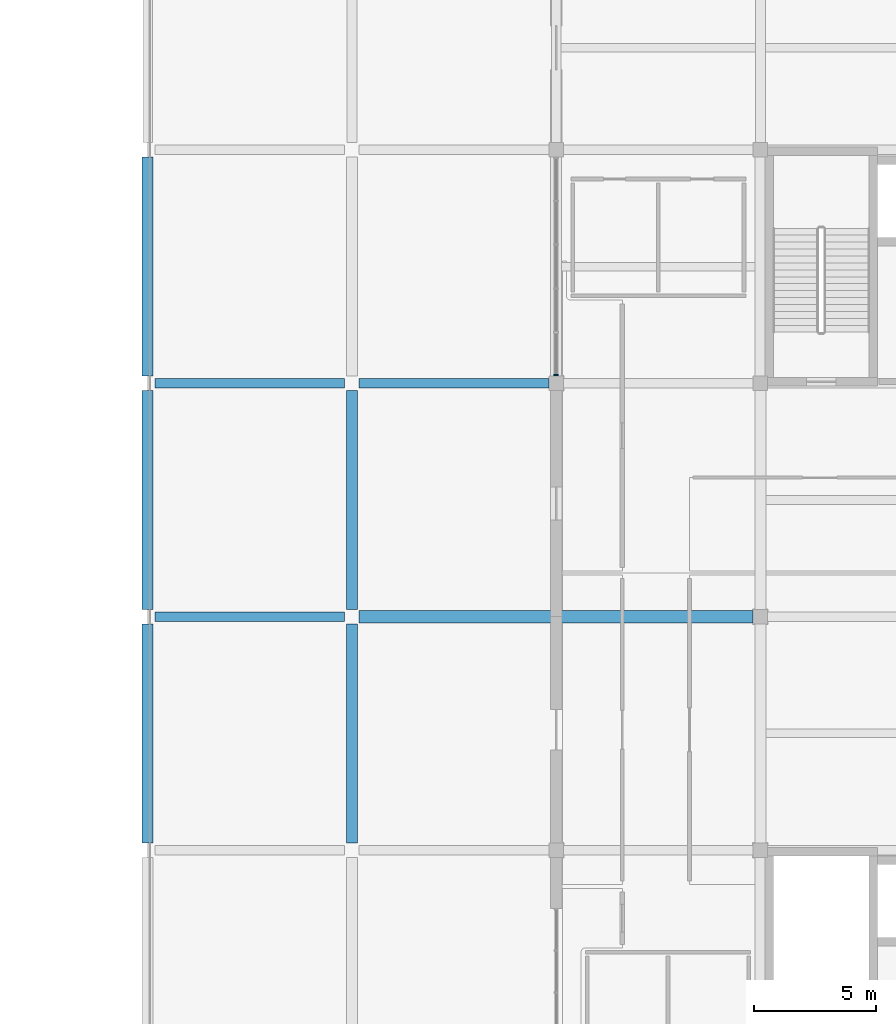
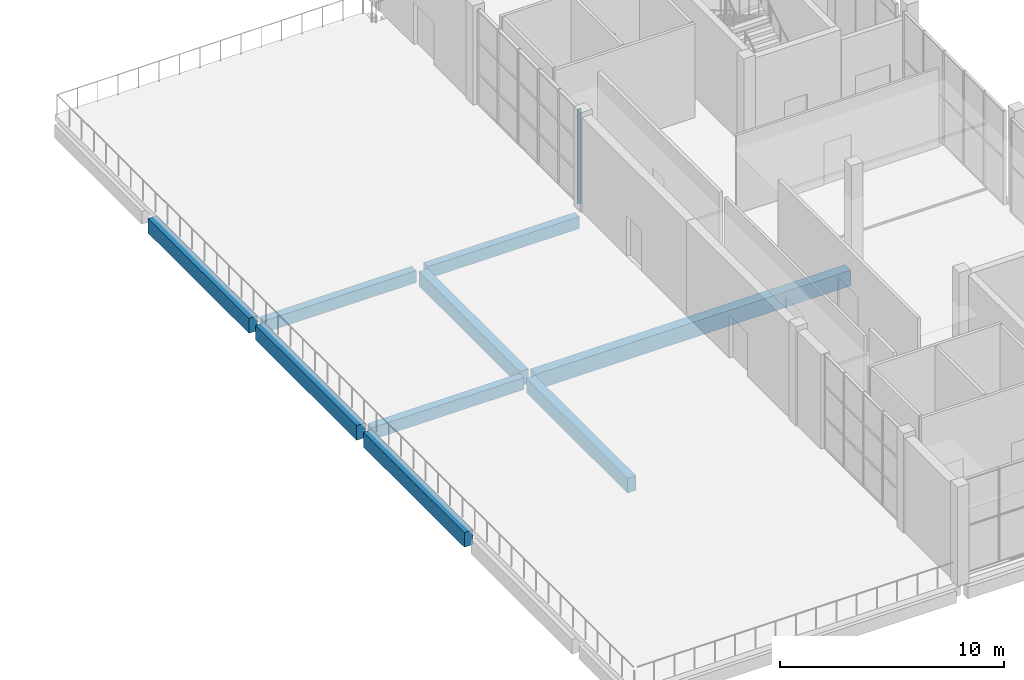
# One storey, part 4 of 15: 9 beams, 1 member, 1 element without a shape of its own.
"""IFC4 building model written with IfcOpenShell, lengths in metres."""

from ifc_helpers import new_model, si_unit, direction, frame, origin, origin_2d, place, context, subcontext, project, spatial, rectangle, extrude, material, material_profile, profile_set, type_object, element, aggregate, save


model = new_model("IFC4")

# Units and contexts
model_context = context("Model", 3, precision=1e-05, world=origin(), true_north=direction((0.0, 1.0)))
body_context = subcontext(model_context, "Body", "Model", "MODEL_VIEW")
ifc_project = project(units=[si_unit("LENGTHUNIT", "METRE"), si_unit("AREAUNIT", "SQUARE_METRE"), si_unit("VOLUMEUNIT", "CUBIC_METRE"), si_unit("PLANEANGLEUNIT", "RADIAN"), si_unit("MASSUNIT", "GRAM", prefix="KILO")], contexts=[model_context])

# Site, building, storey
site_placement = place(None, origin())
site = spatial("IfcSite", under=ifc_project, at=site_placement, CompositionType="ELEMENT")
building_placement = place(site_placement, origin())
building = spatial("IfcBuilding", under=site, at=building_placement, Name="Shalvenor Court Art Gallery", CompositionType="ELEMENT")
storey_placement = place(building_placement, frame((0.0, 0.0, 27.0)))
storey = spatial("IfcBuildingStorey", under=building, at=storey_placement, Name="L05", CompositionType="ELEMENT", Elevation=27.0)

# Beams
ifc_material_1 = material(Name="Concrete C40/50", Category="concrete")
ifc_material_profile_1 = material_profile(ifc_material_1, rectangle(XDim=0.5, YDim=0.85009765625, at=origin_2d()), Name="RC 500x850")
ifc_profile_set_1 = profile_set([ifc_material_profile_1], Name="Concrete C40/50")
beam_type_1 = type_object("IfcBeamType", Name="B-02", PredefinedType="BEAM", material=ifc_profile_set_1)
beam_1_placement = place(storey_placement, frame((151.5, 69.60009765625, -0.72509765625), z_axis=(1.0, 0.0, 0.0), x_axis=(0.0, 1.0, 0.0)))
element("IfcBeam", 1, at=beam_1_placement, inside=storey, type_object=beam_type_1, Name="L05 Girder BM-L05-B-02-1313", PredefinedType="BEAM", context=body_context, shape_type="SweptSolid", body=[
    extrude(rectangle(XDim=0.5, YDim=0.85009765625, at=origin_2d()), origin(), (0.0, 0.0, 1.0), 16.199951171875),
])
ifc_material_2 = material(Name="Concrete C40/50", Category="concrete")
ifc_material_profile_2 = material_profile(ifc_material_2, rectangle(XDim=0.449951171875, YDim=0.800048828125, at=origin_2d()), Name="RC 450x800")
ifc_profile_set_2 = profile_set([ifc_material_profile_2], Name="Concrete C40/50")
beam_type_2 = type_object("IfcBeamType", Name="B-03", PredefinedType="BEAM", material=ifc_profile_set_2)
for number, where, z_axis, x_axis, name in (
    (2, (142.800048828125, 60.300048828125, -0.699951171875), (0.0, 1.0, 0.0), (-1.0, 0.0, 0.0), "L05 Girder BM-L05-B-03-1275"),
    (3, (142.800048828125, 69.89990234375, -0.699951171875), (0.0, 1.0, 0.0), (-1.0, 0.0, 0.0), "L05 Girder BM-L05-B-03-1276"),
    (4, (142.800048828125, 79.5, -0.699951171875), (0.0, 1.0, 0.0), (-1.0, 0.0, 0.0), "L05 Girder BM-L05-B-03-1277"),
    (5, (151.199951171875, 60.300048828125, -0.699951171875), (0.0, 1.0, 0.0), (-1.0, 0.0, 0.0), "L05 Girder BM-L05-B-03-1281"),
    (6, (151.199951171875, 69.89990234375, -0.699951171875), (0.0, 1.0, 0.0), (-1.0, 0.0, 0.0), "L05 Girder BM-L05-B-03-1282"),
):
    element("IfcBeam", number, at=place(storey_placement, frame(where, z_axis=z_axis, x_axis=x_axis)), inside=storey, type_object=beam_type_2, Name=name, PredefinedType="BEAM", context=body_context, shape_type="SweptSolid", body=[
        extrude(rectangle(XDim=0.449951171875, YDim=0.800048828125, at=origin_2d()), origin(), (0.0, 0.0, 1.0), 9.0),
    ])
ifc_material_3 = material(Name="Concrete C40/50", Category="concrete")
ifc_material_profile_3 = material_profile(ifc_material_3, rectangle(XDim=0.39990234375, YDim=0.64990234375, at=origin_2d()), Name="RC 400x650")
ifc_profile_set_3 = profile_set([ifc_material_profile_3], Name="Concrete C40/50")
beam_type_3 = type_object("IfcBeamType", Name="B-06", PredefinedType="BEAM", material=ifc_profile_set_3)
for number, where, z_axis, x_axis, name in (
    (7, (143.10009765625, 69.60009765625, -0.625), (1.0, 0.0, 0.0), (0.0, 1.0, 0.0), "L05 Girder BM-L05-B-06-1312"),
    (8, (143.10009765625, 79.199951171875, -0.625), (1.0, 0.0, 0.0), (0.0, 1.0, 0.0), "L05 Girder BM-L05-B-06-1315"),
):
    element("IfcBeam", number, at=place(storey_placement, frame(where, z_axis=z_axis, x_axis=x_axis)), inside=storey, type_object=beam_type_3, Name=name, PredefinedType="BEAM", context=body_context, shape_type="SweptSolid", body=[
        extrude(rectangle(XDim=0.39990234375, YDim=0.64990234375, at=origin_2d()), origin(), (0.0, 0.0, 1.0), 7.7998046875),
    ])
beam_2_placement = place(storey_placement, frame((151.5, 79.199951171875, -0.625), z_axis=(1.0, 0.0, 0.0), x_axis=(0.0, 1.0, 0.0)))
element("IfcBeam", 9, at=beam_2_placement, inside=storey, type_object=beam_type_3, Name="L05 Girder BM-L05-B-06-1316", PredefinedType="BEAM", context=body_context, shape_type="SweptSolid", body=[
    extrude(rectangle(XDim=0.39990234375, YDim=0.64990234375, at=origin_2d()), origin(), (0.0, 0.0, 1.0), 7.800048828125),
])

# Curtain wall, member
ifc_material_4 = material(Name="Anodised aluminium and low-iron glass curtain wall", Category="aluminium")
curtain_wall_type = type_object("IfcCurtainWallType", Name="CW-5x3-90-51-122", PredefinedType="USERDEFINED", material=ifc_material_4)
curtain_wall_placement = place(storey_placement, origin())
curtain_wall = element("IfcCurtainWall", 10, at=curtain_wall_placement, inside=storey, type_object=curtain_wall_type, Name="L05 V1 Curtain Wall CW-L05-052", ObjectType="CURTAIN WALL", PredefinedType="USERDEFINED")
ifc_material_5 = material(Name="Anodised aluminium mullion", Category="aluminium")
ifc_material_profile_4 = material_profile(ifc_material_5, rectangle(XDim=0.06494140625, YDim=0.179931640625, at=origin_2d()), Name="CWM-01")
ifc_profile_set_4 = profile_set([ifc_material_profile_4], Name="Anodised aluminium mullion")
member_type = type_object("IfcMemberType", Name="CWM-01", PredefinedType="MULLION", material=ifc_profile_set_4)
member_placement = place(storey_placement, frame((159.60009765625, 79.532470703125, 0.0), z_axis=(0.0, 0.0, 1.0), x_axis=(0.0, 1.0, 0.0)))
member = element("IfcMember", 11, at=member_placement, type_object=member_type, Name="CW-5x3-90-51-122 mullion 1", PredefinedType="MULLION", context=body_context, shape_type="SweptSolid", body=[
    extrude(rectangle(XDim=0.06494140625, YDim=0.179931640625, at=origin_2d()), origin(), (0.0, 0.0, 1.0), 5.139892578125),
])
aggregate(curtain_wall, [member])

save(model, "model.ifc")
